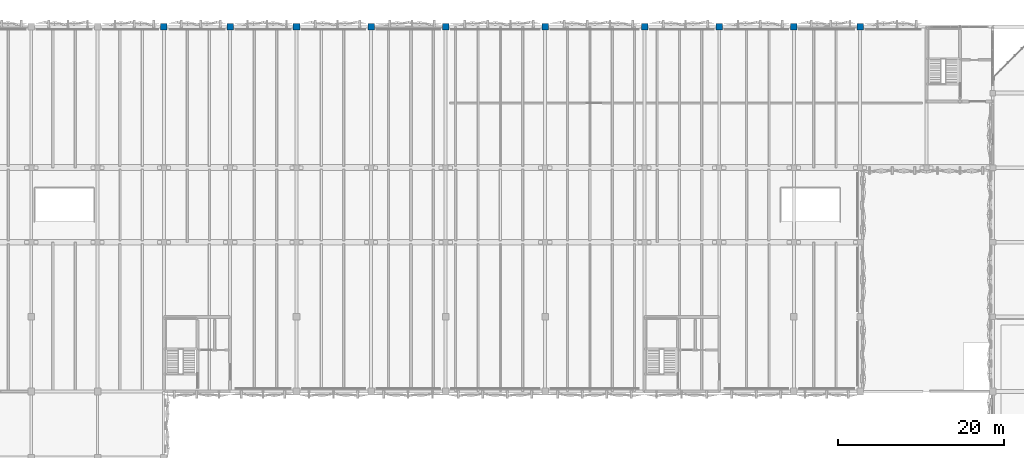
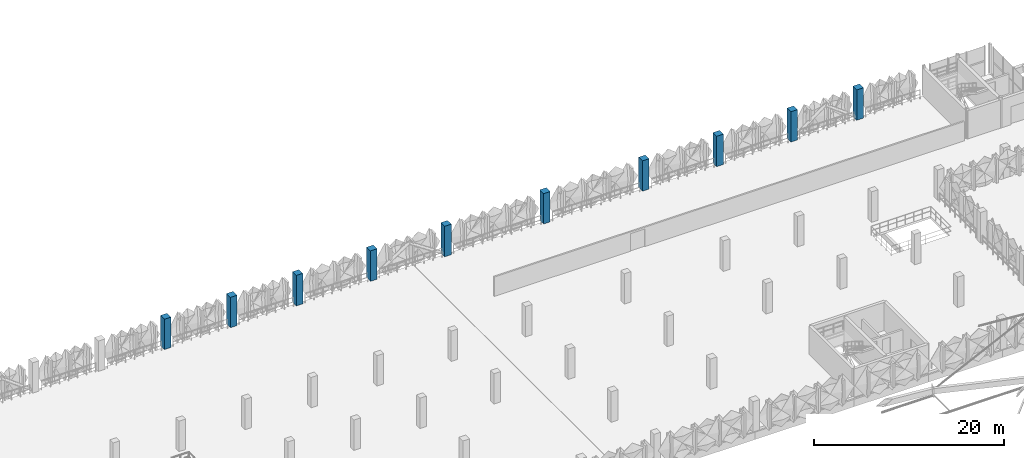
# One storey, part 8 of 96: 10 columns.
"""IFC4 building model written with IfcOpenShell, lengths in metres."""

import ifcopenshell
import ifcopenshell.guid

model = None  # the IFC model being written
_history = None  # IfcOwnerHistory: only IFC2X3 demands one
_inside = {}  # id of a spatial element -> (the spatial element, [elements in it])
_under = {}  # id of a project, library or spatial element -> (it, [spatial elements below it])
_declared = {}  # id of a project -> (the project, [libraries it declares])
_typed = {}  # id of a type object -> (the type object, [elements of that type])
_made_of = {}  # id of a material, layer set ... -> (it, [elements and type objects made of it])


def new_model(schema):
    """Start an empty IFC model of exactly this schema.

    Asked for "IFC4X3", IfcOpenShell would pick the latest addendum, in which some entities
    have other attributes; the version numbers below select the first issue.
    IFC2X3 requires an IfcOwnerHistory on every rooted entity: one is made here for all.
    """
    global model, _history
    if schema == "IFC4X3":
        model = ifcopenshell.file(schema_version=(4, 3, 0, 0))
    else:
        model = ifcopenshell.file(schema=schema)
    _inside.clear()
    _under.clear()
    _declared.clear()
    _typed.clear()
    _made_of.clear()
    _history = None
    if model.schema == "IFC2X3":
        org = make("IfcOrganization", Name="unknown")
        user = make(
            "IfcPersonAndOrganization",
            ThePerson=make("IfcPerson", FamilyName="unknown"),
            TheOrganization=org,
        )
        app = make(
            "IfcApplication",
            ApplicationDeveloper=org,
            Version="unknown",
            ApplicationFullName="unknown",
            ApplicationIdentifier="unknown",
        )
        _history = make(
            "IfcOwnerHistory",
            OwningUser=user,
            OwningApplication=app,
            ChangeAction="ADDED",
            CreationDate=0,
        )
    return model


def make(cls, **values):
    """One entity of the class cls with the attributes given. An attribute that is None is left unset."""
    return model.create_entity(
        cls, **{name: value for name, value in values.items() if value is not None}
    )


def rooted(cls, **values):
    """An entity with a GlobalId (a new one), such as an element, a storey or a relation."""
    return make(cls, GlobalId=ifcopenshell.guid.new(), OwnerHistory=_history, **values)


def si_unit(unit_type, name, prefix=None):
    """IfcSIUnit, for example si_unit("LENGTHUNIT", "METRE", prefix="MILLI")."""
    return make("IfcSIUnit", UnitType=unit_type, Prefix=prefix, Name=name)


def derived_unit(unit_type, elements):
    """IfcDerivedUnit: a product of units, each with its exponent."""
    return make(
        "IfcDerivedUnit",
        Elements=[
            make("IfcDerivedUnitElement", Unit=unit, Exponent=power)
            for unit, power in elements
        ],
        UnitType=unit_type,
    )


def assignment(units):
    """IfcUnitAssignment: the units of a project."""
    return None if units is None else make("IfcUnitAssignment", Units=units)


def point(xyz):
    """IfcCartesianPoint."""
    return None if xyz is None else make("IfcCartesianPoint", Coordinates=xyz)


def direction(xyz):
    """IfcDirection."""
    return None if xyz is None else make("IfcDirection", DirectionRatios=xyz)


def frame(location, z_axis=None, x_axis=None):
    """IfcAxis2Placement3D, a coordinate frame: its origin and axes. An axis left out is left unset."""
    return make(
        "IfcAxis2Placement3D",
        Location=point(location),
        Axis=direction(z_axis),
        RefDirection=direction(x_axis),
    )


def frame_2d(location, x_axis=None):
    """IfcAxis2Placement2D, a coordinate frame in the plane: its origin and x axis."""
    return make(
        "IfcAxis2Placement2D", Location=point(location), RefDirection=direction(x_axis)
    )


def origin():
    """The frame at (0, 0, 0) with its axes left unset."""
    return frame((0.0, 0.0, 0.0))


def origin_2d():
    """The frame at (0, 0) in the plane with its x axis left unset."""
    return frame_2d((0.0, 0.0))


def place(relative_to, where):
    """IfcLocalPlacement: puts the frame where relative to a parent placement (None: the world)."""
    return make(
        "IfcLocalPlacement", PlacementRelTo=relative_to, RelativePlacement=where
    )


def context(
    kind, dimensions, precision=None, world=None, true_north=None, identifier=None
):
    """IfcGeometricRepresentationContext, for example the 3D "Model" context."""
    return make(
        "IfcGeometricRepresentationContext",
        ContextIdentifier=identifier,
        ContextType=kind,
        CoordinateSpaceDimension=dimensions,
        Precision=precision,
        WorldCoordinateSystem=world,
        TrueNorth=true_north,
    )


def subcontext(parent, identifier, kind, view, scale=None):
    """IfcGeometricRepresentationSubContext, for example "Body" below "Model"."""
    return make(
        "IfcGeometricRepresentationSubContext",
        ContextIdentifier=identifier,
        ContextType=kind,
        ParentContext=parent,
        TargetScale=scale,
        TargetView=view,
    )


def project(units=None, contexts=None):
    """IfcProject with its units and contexts."""
    return rooted(
        "IfcProject",
        Name="project",
        RepresentationContexts=contexts,
        UnitsInContext=assignment(units),
    )


def spatial(cls, under=None, at=None, **own):
    """A site, building, storey or space (cls), placed at a placement, below another one or the project."""
    s = rooted(cls, ObjectPlacement=at, **own)
    if under is not None:
        _under.setdefault(under.id(), (under, []))[1].append(s)
    return s


def profile(cls, at=None, kind="AREA", **sizes):
    """A parametric profile (cls). Its sizes go by their IFC names, for example OverallWidth=200.0."""
    return make(cls, ProfileType=kind, Position=at, **sizes)


def rectangle(**sizes):
    """IfcRectangleProfileDef."""
    return profile("IfcRectangleProfileDef", **sizes)


def extrude(swept, where, along, depth):
    """IfcExtrudedAreaSolid: the profile swept, set in the frame where, extruded along a direction by depth."""
    return make(
        "IfcExtrudedAreaSolid",
        SweptArea=swept,
        Position=where,
        ExtrudedDirection=direction(along),
        Depth=depth,
    )


def shape(context_of_items, identifier, shape_type, items):
    """IfcShapeRepresentation: the items that make up one representation, for example the "Body"."""
    return make(
        "IfcShapeRepresentation",
        ContextOfItems=context_of_items,
        RepresentationIdentifier=identifier,
        RepresentationType=shape_type,
        Items=items,
    )


def material(Name=None, Category=None):
    """IfcMaterial."""
    return make("IfcMaterial", Name=Name, Category=Category)


def material_profile(
    of_material, cross_section, Name=None, Category=None, Priority=None
):
    """IfcMaterialProfile: a cross section and its material."""
    return make(
        "IfcMaterialProfile",
        Name=Name,
        Material=of_material,
        Profile=cross_section,
        Priority=Priority,
        Category=Category,
    )


def profile_set(profiles, Name=None, composite=None):
    """IfcMaterialProfileSet."""
    return make(
        "IfcMaterialProfileSet",
        Name=Name,
        MaterialProfiles=profiles,
        CompositeProfile=composite,
    )


def made_of(thing, what):
    """Note that an element or type object is made of a material, layer set ...; save() writes the relation."""
    if what is not None:
        _made_of.setdefault(what.id(), (what, []))[1].append(thing)
    return thing


def type_object(cls, material=None, **own):
    """A type object (cls), such as IfcWallType, which elements share."""
    return made_of(rooted(cls, **own), material)


def element(
    cls,
    number,
    at=None,
    inside=None,
    cuts=None,
    type_object=None,
    material=None,
    context=None,
    identifier="Body",
    shape_type=None,
    held_by="IfcProductDefinitionShape",
    body=None,
    shapes=None,
    **own,
):
    """One element of the class cls, such as IfcWall. Its Tag is "e" and its number.

    at: its placement. inside: the storey or other place that contains it. cuts: it is an
    opening in that element (IfcRelVoidsElement). A single representation is given by context,
    identifier, shape_type and body (its items); several are given by shapes. held_by: the class
    of the entity that holds the representations. save() writes the other relations.
    """
    e = rooted(cls, Tag="e%d" % number, ObjectPlacement=at, **own)
    if body is not None:
        shapes = [shape(context, identifier, shape_type, body)]
    if shapes is not None:
        e.Representation = make(held_by, Representations=shapes)
    if inside is not None:
        _inside.setdefault(inside.id(), (inside, []))[1].append(e)
    if cuts is not None:
        rooted(
            "IfcRelVoidsElement", RelatingBuildingElement=cuts, RelatedOpeningElement=e
        )
    if type_object is not None:
        _typed.setdefault(type_object.id(), (type_object, []))[1].append(e)
    return made_of(e, material)


def aggregate(whole, parts):
    """IfcRelAggregates: a whole, such as a stair, and the parts it consists of."""
    return rooted("IfcRelAggregates", RelatingObject=whole, RelatedObjects=parts)


def save(model, path):
    """Write the relations noted so far, then the file.

    IfcRelAggregates (storeys below a building ...), IfcRelContainedInSpatialStructure (elements
    in a storey), IfcRelDefinesByType, IfcRelAssociatesMaterial and IfcRelDeclares: one each for
    every whole, place, type object, material and project.
    """
    for whole, parts in _under.values():
        aggregate(whole, parts)
    for where, things in _inside.values():
        rooted(
            "IfcRelContainedInSpatialStructure",
            RelatedElements=things,
            RelatingStructure=where,
        )
    for kind, things in _typed.values():
        rooted("IfcRelDefinesByType", RelatedObjects=things, RelatingType=kind)
    for what, things in _made_of.values():
        rooted("IfcRelAssociatesMaterial", RelatedObjects=things, RelatingMaterial=what)
    for by, libraries in _declared.values():
        rooted("IfcRelDeclares", RelatingContext=by, RelatedDefinitions=libraries)
    model.write(path)


model = new_model("IFC4")

# Units and contexts
model_context = context("Model", 3, precision=1e-05, world=origin(), true_north=direction((0.0, 1.0)))
body_context = subcontext(model_context, "Body", "Model", "MODEL_VIEW")
ifc_project = project(units=[si_unit("LENGTHUNIT", "METRE"), si_unit("AREAUNIT", "SQUARE_METRE"), si_unit("VOLUMEUNIT", "CUBIC_METRE"), si_unit("PLANEANGLEUNIT", "RADIAN"), si_unit("MASSUNIT", "GRAM", prefix="KILO"), si_unit("THERMODYNAMICTEMPERATUREUNIT", "KELVIN"), derived_unit("THERMALTRANSMITTANCEUNIT", [(si_unit("POWERUNIT", "WATT"), 1), (si_unit("AREAUNIT", "SQUARE_METRE"), -1), (si_unit("THERMODYNAMICTEMPERATUREUNIT", "KELVIN"), -1)])], contexts=[model_context])

# Site, building, storey
site_placement = place(None, origin())
site = spatial("IfcSite", under=ifc_project, at=site_placement, CompositionType="ELEMENT")
building_placement = place(site_placement, origin())
building = spatial("IfcBuilding", under=site, at=building_placement, Name="Haiyu Intermodal Mobility Hub", CompositionType="ELEMENT")
storey_placement = place(building_placement, frame((0.0, 0.0, 9.5)))
storey = spatial("IfcBuildingStorey", under=building, at=storey_placement, Name="L02", CompositionType="ELEMENT", Elevation=9.5)

# Columns
ifc_material = material(Name="Precast concrete C40", Category="concrete")
ifc_material_profile = material_profile(ifc_material, rectangle(XDim=0.800048828125, YDim=0.800048828125, at=origin_2d()), Name="RC800x800")
ifc_profile_set = profile_set([ifc_material_profile], Name="Precast concrete C40")
column_type = type_object("IfcColumnType", Name="COL-CC02-EXT", PredefinedType="COLUMN", material=ifc_profile_set)
for number, where, z_axis, x_axis, name in (
    (1, (62.0, 148.0, 0.0), (0.0, 0.0, 1.0), (1.0, 0.0, 0.0), "Column V4-7S L02"),
    (2, (70.0, 148.0, 0.0), (0.0, 0.0, 1.0), (1.0, 0.0, 0.0), "Column V4-8S L02"),
    (3, (78.0, 148.0, 0.0), (0.0, 0.0, 1.0), (1.0, 0.0, 0.0), "Column V4-9S L02"),
    (4, (87.0, 148.0, 0.0), (0.0, 0.0, 1.0), (1.0, 0.0, 0.0), "Column V4-10S L02"),
    (5, (96.0, 148.0, 0.0), (0.0, 0.0, 1.0), (1.0, 0.0, 0.0), "Column V4-11S L02"),
    (6, (108.0, 148.0, 0.0), (0.0, 0.0, 1.0), (1.0, 0.0, 0.0), "Column V4-12S L02"),
    (7, (120.0, 148.0, 0.0), (0.0, 0.0, 1.0), (1.0, 0.0, 0.0), "Column V4-13S L02"),
    (8, (129.0, 148.0, 0.0), (0.0, 0.0, 1.0), (1.0, 0.0, 0.0), "Column V4-14S L02"),
    (9, (138.0, 148.0, 0.0), (0.0, 0.0, 1.0), (1.0, 0.0, 0.0), "Column V4-15S L02"),
    (10, (146.0, 148.0, 0.0), (0.0, 0.0, 1.0), (1.0, 0.0, 0.0), "Column V4-16S L02"),
):
    element("IfcColumn", number, at=place(storey_placement, frame(where, z_axis=z_axis, x_axis=x_axis)), inside=storey, type_object=column_type, Name=name, PredefinedType="COLUMN", context=body_context, shape_type="SweptSolid", body=[
        extrude(rectangle(XDim=0.800048828125, YDim=0.800048828125, at=origin_2d()), origin(), (0.0, 0.0, 1.0), 3.89990234375),
    ])

save(model, "model.ifc")
